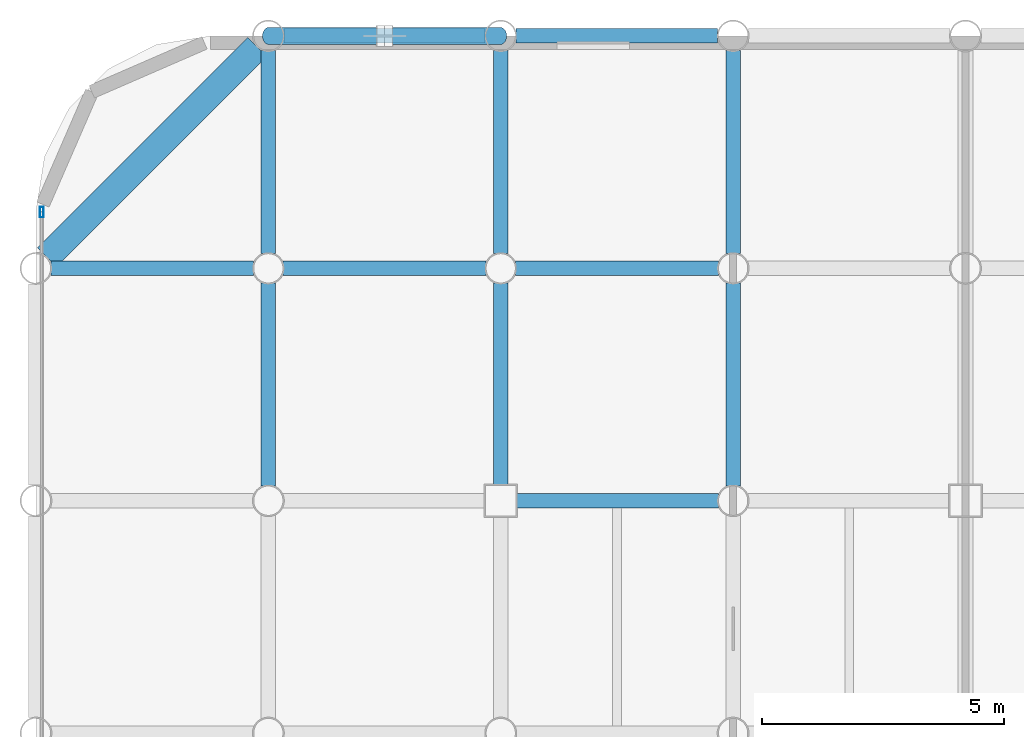
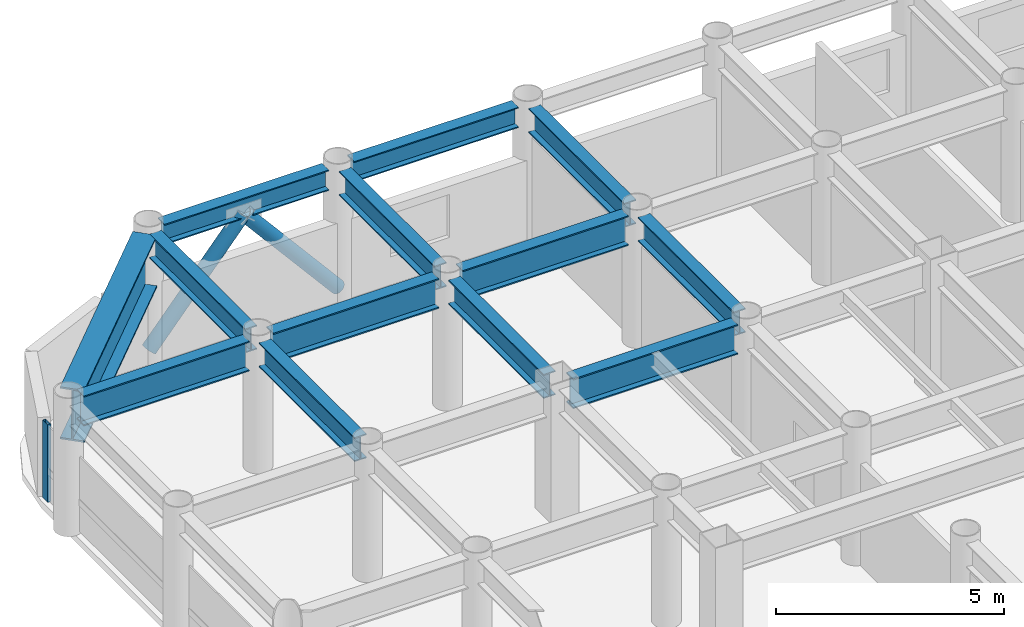
# One storey, part 10 of 21: 13 beams, 3 members, 1 element without a shape of its own.
"""IFC4 building model written with IfcOpenShell, lengths in metres."""

from ifc_helpers import new_model, si_unit, direction, frame, origin, origin_2d, place, context, subcontext, project, spatial, hollow_rectangle, hollow_circle, i_section, extrude, material, layer, layer_set, material_profile, profile_set, type_object, element, aggregate, save


model = new_model("IFC4")

# Units and contexts
model_context = context("Model", 3, precision=1e-05, world=origin(), true_north=direction((0.0, 1.0)))
body_context = subcontext(model_context, "Body", "Model", "MODEL_VIEW")
ifc_project = project(units=[si_unit("LENGTHUNIT", "METRE"), si_unit("AREAUNIT", "SQUARE_METRE"), si_unit("VOLUMEUNIT", "CUBIC_METRE"), si_unit("PLANEANGLEUNIT", "RADIAN"), si_unit("MASSUNIT", "GRAM", prefix="KILO")], contexts=[model_context])

# Site, building, storey
site_placement = place(None, origin())
site = spatial("IfcSite", under=ifc_project, at=site_placement, CompositionType="ELEMENT")
building_placement = place(site_placement, origin())
building = spatial("IfcBuilding", under=site, at=building_placement, Name="Kallvorn Hotel Tower", CompositionType="ELEMENT")
storey_placement = place(building_placement, frame((0.0, 0.0, 139.60009765625)))
storey = spatial("IfcBuildingStorey", under=building, at=storey_placement, Name="L34", CompositionType="ELEMENT", Elevation=139.60009765625)

# Beams
ifc_material_1 = material(Name="Structural steel S355JR", Category="steel")
ifc_material_profile_1 = material_profile(ifc_material_1, i_section(OverallWidth=0.300048828125, OverallDepth=0.550048828125, WebThickness=0.014892578125, FlangeThickness=0.029052734375, at=origin_2d()), Name="HE 550 B")
ifc_profile_set_1 = profile_set([ifc_material_profile_1], Name="Structural steel S355JR")
beam_type_1 = type_object("IfcBeamType", Name="BM_HE550B", PredefinedType="SPANDREL", material=ifc_profile_set_1)
for number, where, z_axis, x_axis, name in (
    (1, (-28.47998046875, 24.0, 3.244873046875), (1.0, 0.0, 0.0), (0.0, 1.0, 0.0), "L35 Perimeter Spandrel 163"),
    (2, (-23.679931640625, 24.0, 3.244873046875), (1.0, 0.0, 0.0), (0.0, 1.0, 0.0), "L35 Perimeter Spandrel 164"),
):
    element("IfcBeam", number, at=place(storey_placement, frame(where, z_axis=z_axis, x_axis=x_axis)), inside=storey, type_object=beam_type_1, Name=name, PredefinedType="SPANDREL", context=body_context, shape_type="SweptSolid", body=[
        extrude(i_section(OverallWidth=0.300048828125, OverallDepth=0.550048828125, WebThickness=0.014892578125, FlangeThickness=0.029052734375, at=origin_2d()), origin(), (0.0, 0.0, 1.0), 4.159912109375),
    ])
ifc_material_2 = material(Name="Structural steel S355JR", Category="steel")
ifc_material_profile_2 = material_profile(ifc_material_2, i_section(OverallWidth=0.300048828125, OverallDepth=0.64990234375, WebThickness=0.01611328125, FlangeThickness=0.031005859375, at=origin_2d()), Name="HE 650 B")
ifc_profile_set_2 = profile_set([ifc_material_profile_2], Name="Structural steel S355JR")
beam_type_2 = type_object("IfcBeamType", Name="BM_HE650B", PredefinedType="BEAM", material=ifc_profile_set_2)
beam_1_placement = place(storey_placement, frame((-28.800048828125, 14.705078125, 3.19482421875), z_axis=(0.0, 1.0, 0.0), x_axis=(-1.0, 0.0, 0.0)))
element("IfcBeam", 3, at=beam_1_placement, inside=storey, type_object=beam_type_2, Name="L35 Primary Y-Girder 80", PredefinedType="BEAM", context=body_context, shape_type="SweptSolid", body=[
    extrude(i_section(OverallWidth=0.300048828125, OverallDepth=0.64990234375, WebThickness=0.01611328125, FlangeThickness=0.031005859375, at=origin_2d()), origin(), (0.0, 0.0, 1.0), 4.18994140625),
])
beam_2_placement = place(storey_placement, frame((-28.800048828125, 19.5048828125, 3.19482421875), z_axis=(0.0, 1.0, 0.0), x_axis=(-1.0, 0.0, 0.0)))
element("IfcBeam", 4, at=beam_2_placement, inside=storey, type_object=beam_type_2, Name="L35 Primary Y-Girder 81", PredefinedType="BEAM", context=body_context, shape_type="SweptSolid", body=[
    extrude(i_section(OverallWidth=0.300048828125, OverallDepth=0.64990234375, WebThickness=0.01611328125, FlangeThickness=0.031005859375, at=origin_2d()), origin(), (0.0, 0.0, 1.0), 4.190185546875),
])
beam_3_placement = place(storey_placement, frame((-24.0, 14.72509765625, 3.19482421875), z_axis=(0.0, 1.0, 0.0), x_axis=(-1.0, 0.0, 0.0)))
element("IfcBeam", 5, at=beam_3_placement, inside=storey, type_object=beam_type_2, Name="L35 Primary Y-Girder 87", PredefinedType="BEAM", context=body_context, shape_type="SweptSolid", body=[
    extrude(i_section(OverallWidth=0.300048828125, OverallDepth=0.64990234375, WebThickness=0.01611328125, FlangeThickness=0.031005859375, at=origin_2d()), origin(), (0.0, 0.0, 1.0), 4.169921875),
])
beam_4_placement = place(storey_placement, frame((-24.0, 19.5048828125, 3.19482421875), z_axis=(0.0, 1.0, 0.0), x_axis=(-1.0, 0.0, 0.0)))
element("IfcBeam", 6, at=beam_4_placement, inside=storey, type_object=beam_type_2, Name="L35 Primary Y-Girder 88", PredefinedType="BEAM", context=body_context, shape_type="SweptSolid", body=[
    extrude(i_section(OverallWidth=0.300048828125, OverallDepth=0.64990234375, WebThickness=0.01611328125, FlangeThickness=0.031005859375, at=origin_2d()), origin(), (0.0, 0.0, 1.0), 4.190185546875),
])
beam_5_placement = place(storey_placement, frame((-19.199951171875, 14.705078125, 3.19482421875), z_axis=(0.0, 1.0, 0.0), x_axis=(-1.0, 0.0, 0.0)))
element("IfcBeam", 7, at=beam_5_placement, inside=storey, type_object=beam_type_2, Name="L35 Primary Y-Girder 96", PredefinedType="BEAM", context=body_context, shape_type="SweptSolid", body=[
    extrude(i_section(OverallWidth=0.300048828125, OverallDepth=0.64990234375, WebThickness=0.01611328125, FlangeThickness=0.031005859375, at=origin_2d()), origin(), (0.0, 0.0, 1.0), 4.18994140625),
])
beam_6_placement = place(storey_placement, frame((-19.199951171875, 19.5048828125, 3.19482421875), z_axis=(0.0, 1.0, 0.0), x_axis=(-1.0, 0.0, 0.0)))
element("IfcBeam", 8, at=beam_6_placement, inside=storey, type_object=beam_type_2, Name="L35 Primary Y-Girder 97", PredefinedType="BEAM", context=body_context, shape_type="SweptSolid", body=[
    extrude(i_section(OverallWidth=0.300048828125, OverallDepth=0.64990234375, WebThickness=0.01611328125, FlangeThickness=0.031005859375, at=origin_2d()), origin(), (0.0, 0.0, 1.0), 4.190185546875),
])
ifc_material_3 = material(Name="Structural steel S355JR", Category="steel")
ifc_material_profile_3 = material_profile(ifc_material_3, i_section(OverallWidth=0.300048828125, OverallDepth=0.800048828125, WebThickness=0.017578125, FlangeThickness=0.032958984375, at=origin_2d()), Name="HE 800 B")
ifc_profile_set_3 = profile_set([ifc_material_profile_3], Name="Structural steel S355JR")
beam_type_3 = type_object("IfcBeamType", Name="BM_HE800B", PredefinedType="BEAM", material=ifc_profile_set_3)
beam_7_placement = place(storey_placement, frame((-23.675048828125, 14.39990234375, 3.119873046875), z_axis=(1.0, 0.0, 0.0), x_axis=(0.0, 1.0, 0.0)))
element("IfcBeam", 9, at=beam_7_placement, inside=storey, type_object=beam_type_3, Name="L35 Primary X-Girder 52", PredefinedType="BEAM", context=body_context, shape_type="SweptSolid", body=[
    extrude(i_section(OverallWidth=0.300048828125, OverallDepth=0.800048828125, WebThickness=0.017578125, FlangeThickness=0.032958984375, at=origin_2d()), origin(), (0.0, 0.0, 1.0), 4.170166015625),
])
beam_8_placement = place(storey_placement, frame((-33.294921875, 19.199951171875, 3.119873046875), z_axis=(1.0, 0.0, 0.0), x_axis=(0.0, 1.0, 0.0)))
element("IfcBeam", 10, at=beam_8_placement, inside=storey, type_object=beam_type_3, Name="L35 Primary X-Girder 60", PredefinedType="BEAM", context=body_context, shape_type="SweptSolid", body=[
    extrude(i_section(OverallWidth=0.300048828125, OverallDepth=0.800048828125, WebThickness=0.017578125, FlangeThickness=0.032958984375, at=origin_2d()), origin(), (0.0, 0.0, 1.0), 4.18994140625),
])
for number, where, z_axis, x_axis, name in (
    (11, (-28.4951171875, 19.199951171875, 3.119873046875), (1.0, 0.0, 0.0), (0.0, 1.0, 0.0), "L35 Primary X-Girder 61"),
    (12, (-23.695068359375, 19.199951171875, 3.119873046875), (1.0, 0.0, 0.0), (0.0, 1.0, 0.0), "L35 Primary X-Girder 62"),
):
    element("IfcBeam", number, at=place(storey_placement, frame(where, z_axis=z_axis, x_axis=x_axis)), inside=storey, type_object=beam_type_3, Name=name, PredefinedType="BEAM", context=body_context, shape_type="SweptSolid", body=[
        extrude(i_section(OverallWidth=0.300048828125, OverallDepth=0.800048828125, WebThickness=0.017578125, FlangeThickness=0.032958984375, at=origin_2d()), origin(), (0.0, 0.0, 1.0), 4.190185546875),
    ])
ifc_material_4 = material(Name="Structural steel S355JR", Category="steel")
ifc_material_profile_4 = material_profile(ifc_material_4, i_section(OverallWidth=0.550048828125, OverallDepth=1.39990234375, WebThickness=0.02490234375, FlangeThickness=0.044921875, at=origin_2d()), Name="PG 1400x550x25x45")
ifc_profile_set_4 = profile_set([ifc_material_profile_4], Name="Structural steel S355JR")
beam_type_4 = type_object("IfcBeamType", Name="BM_PG_1400", PredefinedType="BEAM", material=ifc_profile_set_4)
beam_9_placement = place(storey_placement, frame((-33.373779296875, 19.42626953125, 2.81982421875), z_axis=(0.707106781187, 0.707106781187, 0.0), x_axis=(-0.707106781187, 0.707106781187, 0.0)))
element("IfcBeam", 13, at=beam_9_placement, inside=storey, type_object=beam_type_4, Name="L35 Rounded Corner Tie Beam 190", PredefinedType="BEAM", context=body_context, shape_type="SweptSolid", body=[
    extrude(i_section(OverallWidth=0.550048828125, OverallDepth=1.39990234375, WebThickness=0.02490234375, FlangeThickness=0.044921875, at=origin_2d()), origin(), (0.0, 0.0, 1.0), 6.148193359375),
])

# Curtain wall, member
ifc_material_5 = material(Name="Thermally broken black-anodised aluminium AA 6063-T6", Category="aluminium")
ifc_layer = layer(ifc_material_5, 0.2099609375)
ifc_layer_set = layer_set([ifc_layer], Name="CW_SYS_4_HOTEL_MID")
curtain_wall_type = type_object("IfcCurtainWallType", Name="CW_SYS_4_HOTEL_MID", PredefinedType="USERDEFINED", material=ifc_layer_set)
curtain_wall_placement = place(storey_placement, origin())
curtain_wall = element("IfcCurtainWall", 14, at=curtain_wall_placement, inside=storey, type_object=curtain_wall_type, Name="L34 Dark-Glass Curtain Wall CW-L34-WN", ObjectType="UNITISED CURTAIN WALL", PredefinedType="USERDEFINED")
ifc_material_6 = material(Name="Thermally broken black-anodised aluminium AA 6063-T6", Category="aluminium")
ifc_material_profile_5 = material_profile(ifc_material_6, hollow_rectangle(XDim=0.080078125, YDim=0.219970703125, WallThickness=0.0048828125, at=origin_2d()), Name="MUL 220x80")
ifc_profile_set_5 = profile_set([ifc_material_profile_5], Name="Thermally broken black-anodised aluminium AA 6063-T6")
member_type_1 = type_object("IfcMemberType", Name="CW_MULLION_220x80", PredefinedType="MULLION", material=ifc_profile_set_5)
member_placement = place(storey_placement, frame((-33.47998046875, 20.360107421875, 0.02001953125), z_axis=(0.0, 0.0, 1.0), x_axis=(1.0, 0.0, 0.0)))
member = element("IfcMember", 15, at=member_placement, type_object=member_type_1, Name="CW-L34-WN Mullion 01", PredefinedType="MULLION", context=body_context, shape_type="SweptSolid", body=[
    extrude(hollow_rectangle(XDim=0.080078125, YDim=0.219970703125, WallThickness=0.0048828125, at=origin_2d()), origin(), (0.0, 0.0, 1.0), 2.079833984375),
])
aggregate(curtain_wall, [member])

# Members
ifc_material_7 = material(Name="Structural steel S355J2H", Category="steel")
ifc_material_profile_6 = material_profile(ifc_material_7, hollow_circle(Radius=0.177734375, WallThickness=0.01416015625, at=origin_2d()), Name="CHS 355.6x14.2")
ifc_profile_set_6 = profile_set([ifc_material_profile_6], Name="Structural steel S355J2H")
member_type_2 = type_object("IfcMemberType", Name="MBR_EXO_CHS355", PredefinedType="BRACE", material=ifc_profile_set_6)
for number, where, z_axis, x_axis, name in (
    (16, (-28.787109375, 24.0, 0.1953125), (0.646833296797, 0.0, 0.762631422218), (0.0, 1.0, 0.0), "L34 Exoskeleton K-Brace N1A"),
    (17, (-24.012939453125, 24.0, 0.1953125), (-0.646833296797, 0.0, 0.762631422218), (0.0, -1.0, 0.0), "L34 Exoskeleton K-Brace N1B"),
):
    element("IfcMember", number, at=place(storey_placement, frame(where, z_axis=z_axis, x_axis=x_axis)), inside=storey, type_object=member_type_2, Name=name, PredefinedType="BRACE", context=body_context, shape_type="SweptSolid", body=[
        extrude(hollow_circle(Radius=0.177734375, WallThickness=0.01416015625, at=origin_2d()), origin(), (0.0, 0.0, 1.0), 3.670654296875),
    ])

save(model, "model.ifc")
